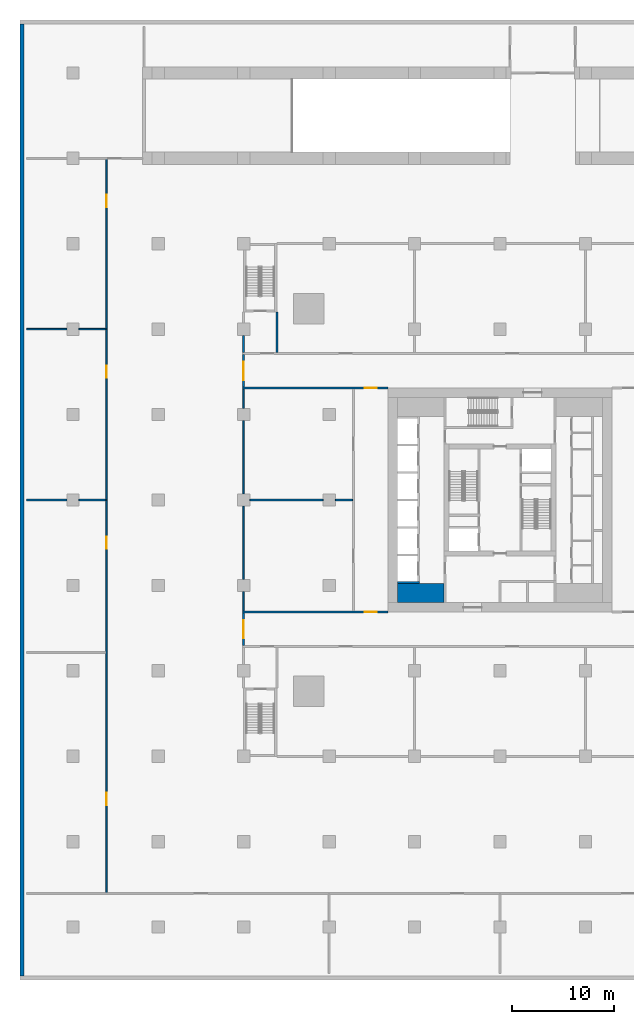
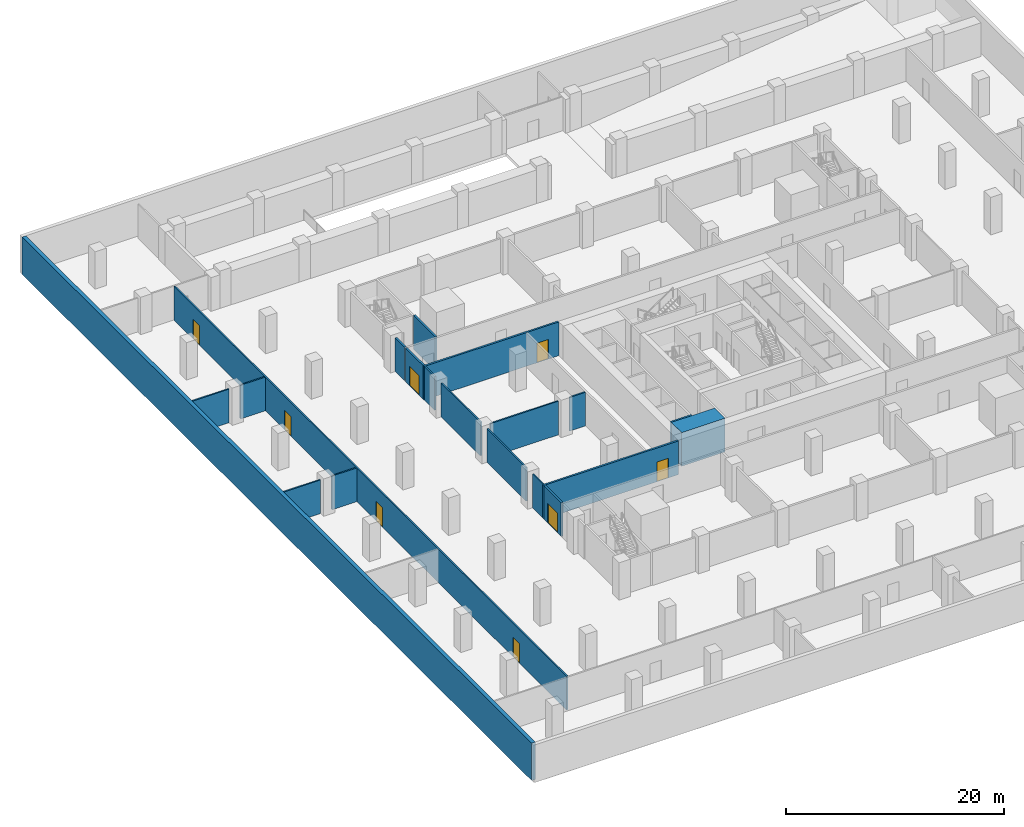
# One storey, part 4 of 16: 20 walls, 8 doors, 8 openings.
"""IFC4 building model written with IfcOpenShell, lengths in metres."""

from ifc_helpers import new_model, si_unit, direction, frame, frame_2d, origin, place, context, subcontext, project, spatial, rectangle, extrude, material, layer, layer_set, type_object, element, fill, save


model = new_model("IFC4")

# Units and contexts
model_context = context("Model", 3, precision=1e-05, world=origin(), true_north=direction((0.0, 1.0)))
body_context = subcontext(model_context, "Body", "Model", "MODEL_VIEW")
ifc_project = project(units=[si_unit("LENGTHUNIT", "METRE"), si_unit("AREAUNIT", "SQUARE_METRE"), si_unit("VOLUMEUNIT", "CUBIC_METRE"), si_unit("PLANEANGLEUNIT", "RADIAN"), si_unit("MASSUNIT", "GRAM", prefix="KILO")], contexts=[model_context])

# Site, building, storey
site_placement = place(None, origin())
site = spatial("IfcSite", under=ifc_project, at=site_placement, CompositionType="ELEMENT")
building_placement = place(site_placement, origin())
building = spatial("IfcBuilding", under=site, at=building_placement, Name="Khepri Terraces", CompositionType="ELEMENT")
storey_placement = place(building_placement, frame((0.0, 0.0, -4.199951171875)))
storey = spatial("IfcBuildingStorey", under=building, at=storey_placement, Name="B1", CompositionType="ELEMENT", Elevation=-4.199951171875)

# Walls
ifc_material_1 = material(Name="Concrete C80/95", Category="concrete")
ifc_layer_1 = layer(ifc_material_1, 1.89990234375, Name="Concrete C80/95", Category="concrete")
ifc_layer_set_1 = layer_set([ifc_layer_1], Name="Concrete C80/95")
wall_type_1 = type_object("IfcWallType", Name="Core wall 1900 C80/95", PredefinedType="SHEAR", material=ifc_layer_set_1)
wall_1_placement = place(storey_placement, frame((-10.10009765625, -9.14990234375, 0.0), z_axis=(0.0, 0.0, 1.0), x_axis=(1.0, 0.0, 0.0)))
element("IfcWall", 1, at=wall_1_placement, inside=storey, type_object=wall_type_1, Name="Core wall PR01 B1", PredefinedType="SHEAR", context=body_context, shape_type="SweptSolid", body=[
    extrude(rectangle(XDim=4.60009765625, YDim=1.89990234375, at=frame_2d((2.300048828125, 0.0))), origin(), (0.0, 0.0, 1.0), 3.780029296875),
])
ifc_layer_2 = layer(ifc_material_1, 0.199951171875, Name="Concrete C80/95", Category="concrete")
ifc_layer_set_2 = layer_set([ifc_layer_2], Name="Concrete C80/95")
wall_type_2 = type_object("IfcWallType", Name="Core wall 200 C80/95", PredefinedType="SHEAR", material=ifc_layer_set_2)
wall_2_placement = place(storey_placement, frame((-10.10009765625, -8.10009765625, 0.0), z_axis=(0.0, 0.0, 1.0), x_axis=(1.0, 0.0, 0.0)))
element("IfcWall", 2, at=wall_2_placement, inside=storey, type_object=wall_type_2, Name="Core wall SH04 B1", PredefinedType="SHEAR", context=body_context, shape_type="SweptSolid", body=[
    extrude(rectangle(XDim=2.2001953125, YDim=0.199951171875, at=frame_2d((1.10009765625, 0.0))), origin(), (0.0, 0.0, 1.0), 3.780029296875),
])
ifc_material_2 = material(Name="Concrete C60/75", Category="concrete")
ifc_layer_3 = layer(ifc_material_2, 0.39990234375, Name="Concrete C60/75", Category="concrete")
ifc_layer_set_3 = layer_set([ifc_layer_3], Name="Concrete C60/75")
wall_type_3 = type_object("IfcWallType", Name="Retaining wall RW1", PredefinedType="USERDEFINED", material=ifc_layer_set_3)
wall_3_placement = place(storey_placement, frame((-47.0, -46.800048828125, 0.0), z_axis=(0.0, 0.0, 1.0), x_axis=(0.0, 1.0, 0.0)))
element("IfcWall", 3, at=wall_3_placement, inside=storey, type_object=wall_type_3, Name="Basement retaining wall W B1", ObjectType="RETAINING WALL", PredefinedType="USERDEFINED", context=body_context, shape_type="SweptSolid", body=[
    extrude(rectangle(XDim=93.60009765625, YDim=0.39990234375, at=frame_2d((46.800048828125, 0.0))), origin(), (0.0, 0.0, 1.0), 4.199951171875),
])
ifc_material_3 = material(Name="Gypsum board partition")
ifc_layer_4 = layer(ifc_material_3, 0.14990234375, Name="Gypsum board partition")
ifc_layer_set_4 = layer_set([ifc_layer_4], Name="Gypsum board partition")
wall_type_4 = type_object("IfcWallType", Name="WL-POD-150", PredefinedType="PARTITIONING", material=ifc_layer_set_4)
wall_4_placement = place(storey_placement, frame((-46.550048828125, 0.0, 0.0), z_axis=(0.0, 0.0, 1.0), x_axis=(1.0, 0.0, 0.0)))
element("IfcWall", 4, at=wall_4_placement, inside=storey, type_object=wall_type_4, Name="Partition B1-PW015", PredefinedType="PARTITIONING", context=body_context, shape_type="SweptSolid", body=[
    extrude(rectangle(XDim=3.949951171875, YDim=0.14990234375, at=frame_2d((1.97509765625, 0.0))), origin(), (0.0, 0.0, 1.0), 3.780029296875),
])
wall_5_placement = place(storey_placement, frame((-41.39990234375, 0.0, 0.0), z_axis=(0.0, 0.0, 1.0), x_axis=(1.0, 0.0, 0.0)))
element("IfcWall", 5, at=wall_5_placement, inside=storey, type_object=wall_type_4, Name="Partition B1-PW016", PredefinedType="PARTITIONING", context=body_context, shape_type="SweptSolid", body=[
    extrude(rectangle(XDim=2.625, YDim=0.14990234375, at=frame_2d((1.3125, 0.0))), origin(), (0.0, 0.0, 1.0), 3.780029296875),
])
wall_6_placement = place(storey_placement, frame((-24.60009765625, 0.0, 0.0), z_axis=(0.0, 0.0, 1.0), x_axis=(1.0, 0.0, 0.0)))
element("IfcWall", 6, at=wall_6_placement, inside=storey, type_object=wall_type_4, Name="Partition B1-PW017", PredefinedType="PARTITIONING", context=body_context, shape_type="SweptSolid", body=[
    extrude(rectangle(XDim=7.2001953125, YDim=0.14990234375, at=frame_2d((3.60009765625, 0.0))), origin(), (0.0, 0.0, 1.0), 3.780029296875),
])
wall_7_placement = place(storey_placement, frame((-16.199951171875, 0.0, 0.0), z_axis=(0.0, 0.0, 1.0), x_axis=(1.0, 0.0, 0.0)))
element("IfcWall", 7, at=wall_7_placement, inside=storey, type_object=wall_type_4, Name="Partition B1-PW018", PredefinedType="PARTITIONING", context=body_context, shape_type="SweptSolid", body=[
    extrude(rectangle(XDim=1.699951171875, YDim=0.14990234375, at=frame_2d((0.85009765625, 0.0))), origin(), (0.0, 0.0, 1.0), 3.780029296875),
])
wall_8_placement = place(storey_placement, frame((-46.550048828125, 16.800048828125, 0.0), z_axis=(0.0, 0.0, 1.0), x_axis=(1.0, 0.0, 0.0)))
element("IfcWall", 8, at=wall_8_placement, inside=storey, type_object=wall_type_4, Name="Partition B1-PW024", PredefinedType="PARTITIONING", context=body_context, shape_type="SweptSolid", body=[
    extrude(rectangle(XDim=3.949951171875, YDim=0.14990234375, at=frame_2d((1.97509765625, 0.0))), origin(), (0.0, 0.0, 1.0), 3.780029296875),
])
wall_9_placement = place(storey_placement, frame((-41.39990234375, 16.800048828125, 0.0), z_axis=(0.0, 0.0, 1.0), x_axis=(1.0, 0.0, 0.0)))
element("IfcWall", 9, at=wall_9_placement, inside=storey, type_object=wall_type_4, Name="Partition B1-PW025", PredefinedType="PARTITIONING", context=body_context, shape_type="SweptSolid", body=[
    extrude(rectangle(XDim=2.625, YDim=0.14990234375, at=frame_2d((1.3125, 0.0))), origin(), (0.0, 0.0, 1.0), 3.780029296875),
])

# Wall, openings, doors
wall_10_placement = place(storey_placement, frame((-38.699951171875, -38.625, 0.0), z_axis=(0.0, 0.0, 1.0), x_axis=(0.0, 1.0, 0.0)))
wall_10 = element("IfcWall", 10, at=wall_10_placement, inside=storey, type_object=wall_type_4, Name="Partition B1-PW061", PredefinedType="PARTITIONING", context=body_context, shape_type="SweptSolid", body=[
    extrude(rectangle(XDim=72.14990234375, YDim=0.14990234375, at=frame_2d((36.074951171875, 0.0))), origin(), (0.0, 0.0, 1.0), 3.780029296875),
])
opening_1_placement = place(wall_10_placement, frame((8.625, 0.0, 0.0)))
opening_1 = element("IfcOpeningElement", 11, at=opening_1_placement, cuts=wall_10, Name="Opening B1-P05", PredefinedType="OPENING", context=body_context, shape_type="SweptSolid", body=[
    extrude(rectangle(XDim=1.199951171875, YDim=2.199951171875, at=frame_2d((0.60009765625, 1.10009765625))), frame((0.0, 0.0849609375, 0.0), z_axis=(0.0, -1.0, 0.0), x_axis=(1.0, 0.0, 0.0)), (0.0, 0.0, 1.0), 0.169921875),
])
opening_2_placement = place(wall_10_placement, frame((33.824951171875, 0.0, 0.0)))
opening_2 = element("IfcOpeningElement", 12, at=opening_2_placement, cuts=wall_10, Name="Opening B1-P18", PredefinedType="OPENING", context=body_context, shape_type="SweptSolid", body=[
    extrude(rectangle(XDim=1.199951171875, YDim=2.199951171875, at=frame_2d((0.60009765625, 1.10009765625))), frame((0.0, 0.0849609375, 0.0), z_axis=(0.0, -1.0, 0.0), x_axis=(1.0, 0.0, 0.0)), (0.0, 0.0, 1.0), 0.169921875),
])
opening_3_placement = place(wall_10_placement, frame((50.625, 0.0, 0.0)))
opening_3 = element("IfcOpeningElement", 13, at=opening_3_placement, cuts=wall_10, Name="Opening B1-P24", PredefinedType="OPENING", context=body_context, shape_type="SweptSolid", body=[
    extrude(rectangle(XDim=1.199951171875, YDim=2.199951171875, at=frame_2d((0.60009765625, 1.10009765625))), frame((0.0, 0.0849609375, 0.0), z_axis=(0.0, -1.0, 0.0), x_axis=(1.0, 0.0, 0.0)), (0.0, 0.0, 1.0), 0.169921875),
])
opening_4_placement = place(wall_10_placement, frame((67.425048828125, 0.0, 0.0)))
opening_4 = element("IfcOpeningElement", 14, at=opening_4_placement, cuts=wall_10, Name="Opening B1-P33", PredefinedType="OPENING", context=body_context, shape_type="SweptSolid", body=[
    extrude(rectangle(XDim=1.199951171875, YDim=2.199951171875, at=frame_2d((0.60009765625, 1.10009765625))), frame((0.0, 0.0849609375, 0.0), z_axis=(0.0, -1.0, 0.0), x_axis=(1.0, 0.0, 0.0)), (0.0, 0.0, 1.0), 0.169921875),
])
ifc_material_4 = material(Name="Timber veneer", Category="wood")
door_type_1 = type_object("IfcDoorType", Name="DR-POD-SINGLE-1200", OperationType="NOTDEFINED", PredefinedType="DOOR", material=ifc_material_4)
door_1_placement = place(opening_1_placement, origin())
door_1 = element("IfcDoor", 15, at=door_1_placement, inside=storey, type_object=door_type_1, Name="Door B1-P05", OperationType="SINGLE_SWING_LEFT", OverallHeight=2.199951171875, OverallWidth=1.199951171875, PredefinedType="DOOR", context=body_context, shape_type="SweptSolid", body=[
    extrude(rectangle(XDim=1.199951171875, YDim=2.199951171875, at=frame_2d((0.60009765625, 1.10009765625))), frame((0.0, 0.02490234375, 0.0), z_axis=(0.0, -1.0, 0.0), x_axis=(1.0, 0.0, 0.0)), (0.0, 0.0, 1.0), 0.050048828125),
])
fill(opening_1, door_1)
door_2_placement = place(opening_2_placement, origin())
door_2 = element("IfcDoor", 16, at=door_2_placement, inside=storey, type_object=door_type_1, Name="Door B1-P18", OperationType="SINGLE_SWING_LEFT", OverallHeight=2.199951171875, OverallWidth=1.199951171875, PredefinedType="DOOR", context=body_context, shape_type="SweptSolid", body=[
    extrude(rectangle(XDim=1.199951171875, YDim=2.199951171875, at=frame_2d((0.60009765625, 1.10009765625))), frame((0.0, 0.02490234375, 0.0), z_axis=(0.0, -1.0, 0.0), x_axis=(1.0, 0.0, 0.0)), (0.0, 0.0, 1.0), 0.050048828125),
])
fill(opening_2, door_2)
door_3_placement = place(opening_3_placement, origin())
door_3 = element("IfcDoor", 17, at=door_3_placement, inside=storey, type_object=door_type_1, Name="Door B1-P24", OperationType="SINGLE_SWING_RIGHT", OverallHeight=2.199951171875, OverallWidth=1.199951171875, PredefinedType="DOOR", context=body_context, shape_type="SweptSolid", body=[
    extrude(rectangle(XDim=1.199951171875, YDim=2.199951171875, at=frame_2d((0.60009765625, 1.10009765625))), frame((0.0, 0.02490234375, 0.0), z_axis=(0.0, -1.0, 0.0), x_axis=(1.0, 0.0, 0.0)), (0.0, 0.0, 1.0), 0.050048828125),
])
fill(opening_3, door_3)
door_4_placement = place(opening_4_placement, origin())
door_4 = element("IfcDoor", 18, at=door_4_placement, inside=storey, type_object=door_type_1, Name="Door B1-P33", OperationType="SINGLE_SWING_RIGHT", OverallHeight=2.199951171875, OverallWidth=1.199951171875, PredefinedType="DOOR", context=body_context, shape_type="SweptSolid", body=[
    extrude(rectangle(XDim=1.199951171875, YDim=2.199951171875, at=frame_2d((0.60009765625, 1.10009765625))), frame((0.0, 0.02490234375, 0.0), z_axis=(0.0, -1.0, 0.0), x_axis=(1.0, 0.0, 0.0)), (0.0, 0.0, 1.0), 0.050048828125),
])
fill(opening_4, door_4)

# Walls
wall_11_placement = place(storey_placement, frame((-25.199951171875, -10.89990234375, 0.0), z_axis=(0.0, 0.0, 1.0), x_axis=(0.0, 1.0, 0.0)))
element("IfcWall", 19, at=wall_11_placement, inside=storey, type_object=wall_type_4, Name="Partition B1-PW067", PredefinedType="PARTITIONING", context=body_context, shape_type="SweptSolid", body=[
    extrude(rectangle(XDim=1.89990234375, YDim=0.14990234375, at=frame_2d((0.949951171875, 0.0))), origin(), (0.0, 0.0, 1.0), 3.780029296875),
])
for number, where, z_axis, x_axis, name in (
    (20, (-25.199951171875, -7.800048828125, 0.0), (0.0, 0.0, 1.0), (0.0, 1.0, 0.0), "Partition B1-PW068"),
    (21, (-25.199951171875, 0.60009765625, 0.0), (0.0, 0.0, 1.0), (0.0, 1.0, 0.0), "Partition B1-PW069"),
):
    element("IfcWall", number, at=place(storey_placement, frame(where, z_axis=z_axis, x_axis=x_axis)), inside=storey, type_object=wall_type_4, Name=name, PredefinedType="PARTITIONING", context=body_context, shape_type="SweptSolid", body=[
        extrude(rectangle(XDim=7.199951171875, YDim=0.14990234375, at=frame_2d((3.60009765625, 0.0))), origin(), (0.0, 0.0, 1.0), 3.780029296875),
    ])
wall_12_placement = place(storey_placement, frame((-25.199951171875, 9.0, 0.0), z_axis=(0.0, 0.0, 1.0), x_axis=(0.0, 1.0, 0.0)))
element("IfcWall", 22, at=wall_12_placement, inside=storey, type_object=wall_type_4, Name="Partition B1-PW070", PredefinedType="PARTITIONING", context=body_context, shape_type="SweptSolid", body=[
    extrude(rectangle(XDim=1.89990234375, YDim=0.14990234375, at=frame_2d((0.949951171875, 0.0))), origin(), (0.0, 0.0, 1.0), 3.780029296875),
])
ifc_material_5 = material(Name="Fire-rated block wall")
ifc_layer_5 = layer(ifc_material_5, 0.199951171875, Name="Fire-rated block wall")
ifc_layer_set_5 = layer_set([ifc_layer_5], Name="Fire-rated block wall")
wall_type_5 = type_object("IfcWallType", Name="WL-POD-200-EI120", PredefinedType="PARTITIONING", material=ifc_layer_set_5)
wall_13_placement = place(storey_placement, frame((-25.199951171875, 14.5, 0.0), z_axis=(0.0, 0.0, 1.0), x_axis=(0.0, 1.0, 0.0)))
element("IfcWall", 23, at=wall_13_placement, inside=storey, type_object=wall_type_5, Name="Partition B1-PW072", PredefinedType="PARTITIONING", context=body_context, shape_type="SweptSolid", body=[
    extrude(rectangle(XDim=1.699951171875, YDim=0.199951171875, at=frame_2d((0.85009765625, 0.0))), origin(), (0.0, 0.0, 1.0), 3.780029296875),
])
wall_14_placement = place(storey_placement, frame((-21.949951171875, 14.5, 0.0), z_axis=(0.0, 0.0, 1.0), x_axis=(0.0, 1.0, 0.0)))
element("IfcWall", 24, at=wall_14_placement, inside=storey, type_object=wall_type_5, Name="Partition B1-PW075", PredefinedType="PARTITIONING", context=body_context, shape_type="SweptSolid", body=[
    extrude(rectangle(XDim=4.0, YDim=0.199951171875, at=frame_2d((2.0, 0.0))), origin(), (0.0, 0.0, 1.0), 3.780029296875),
])

# Wall, opening, door
ifc_layer_6 = layer(ifc_material_5, 0.199951171875, Name="Fire-rated block wall")
ifc_layer_set_6 = layer_set([ifc_layer_6], Name="Fire-rated block wall")
wall_type_6 = type_object("IfcWallType", Name="WL-POD-200-EI60", PredefinedType="PARTITIONING", material=ifc_layer_set_6)
wall_15_placement = place(storey_placement, frame((-25.300048828125, -11.0, 0.0), z_axis=(0.0, 0.0, 1.0), x_axis=(1.0, 0.0, 0.0)))
wall_15 = element("IfcWall", 25, at=wall_15_placement, inside=storey, type_object=wall_type_6, Name="Partition B1-PW012", PredefinedType="PARTITIONING", context=body_context, shape_type="SweptSolid", body=[
    extrude(rectangle(XDim=14.300048828125, YDim=0.199951171875, at=frame_2d((7.14990234375, 0.0))), origin(), (0.0, 0.0, 1.0), 3.780029296875),
])
opening_5_placement = place(wall_15_placement, frame((12.0, 0.0, 0.0)))
opening_5 = element("IfcOpeningElement", 26, at=opening_5_placement, cuts=wall_15, Name="Opening B1-P14", PredefinedType="OPENING", context=body_context, shape_type="SweptSolid", body=[
    extrude(rectangle(XDim=1.199951171875, YDim=2.199951171875, at=frame_2d((0.60009765625, 1.10009765625))), frame((0.0, 0.10986328125, 0.0), z_axis=(0.0, -1.0, 0.0), x_axis=(1.0, 0.0, 0.0)), (0.0, 0.0, 1.0), 0.219970703125),
])
ifc_material_6 = material(Name="Painted steel", Category="steel")
door_type_2 = type_object("IfcDoorType", Name="DR-POD-FIRE-1200", OperationType="NOTDEFINED", PredefinedType="DOOR", material=ifc_material_6)
door_5_placement = place(opening_5_placement, origin())
door_5 = element("IfcDoor", 27, at=door_5_placement, inside=storey, type_object=door_type_2, Name="Fire door B1-P14", OperationType="SINGLE_SWING_LEFT", OverallHeight=2.199951171875, OverallWidth=1.199951171875, PredefinedType="DOOR", context=body_context, shape_type="SweptSolid", body=[
    extrude(rectangle(XDim=1.199951171875, YDim=2.199951171875, at=frame_2d((0.60009765625, 1.10009765625))), frame((0.0, 0.02490234375, 0.0), z_axis=(0.0, -1.0, 0.0), x_axis=(1.0, 0.0, 0.0)), (0.0, 0.0, 1.0), 0.050048828125),
])
fill(opening_5, door_5)

wall_16_placement = place(storey_placement, frame((-25.300048828125, 11.0, 0.0), z_axis=(0.0, 0.0, 1.0), x_axis=(1.0, 0.0, 0.0)))
wall_16 = element("IfcWall", 28, at=wall_16_placement, inside=storey, type_object=wall_type_6, Name="Partition B1-PW021", PredefinedType="PARTITIONING", context=body_context, shape_type="SweptSolid", body=[
    extrude(rectangle(XDim=14.300048828125, YDim=0.199951171875, at=frame_2d((7.14990234375, 0.0))), origin(), (0.0, 0.0, 1.0), 3.780029296875),
])
opening_6_placement = place(wall_16_placement, frame((12.0, 0.0, 0.0)))
opening_6 = element("IfcOpeningElement", 29, at=opening_6_placement, cuts=wall_16, Name="Opening B1-P22", PredefinedType="OPENING", context=body_context, shape_type="SweptSolid", body=[
    extrude(rectangle(XDim=1.199951171875, YDim=2.199951171875, at=frame_2d((0.60009765625, 1.10009765625))), frame((0.0, 0.10986328125, 0.0), z_axis=(0.0, -1.0, 0.0), x_axis=(1.0, 0.0, 0.0)), (0.0, 0.0, 1.0), 0.219970703125),
])
door_6_placement = place(opening_6_placement, origin())
door_6 = element("IfcDoor", 30, at=door_6_placement, inside=storey, type_object=door_type_2, Name="Fire door B1-P22", OperationType="SINGLE_SWING_RIGHT", OverallHeight=2.199951171875, OverallWidth=1.199951171875, PredefinedType="DOOR", context=body_context, shape_type="SweptSolid", body=[
    extrude(rectangle(XDim=1.199951171875, YDim=2.199951171875, at=frame_2d((0.60009765625, 1.10009765625))), frame((0.0, 0.02490234375, 0.0), z_axis=(0.0, -1.0, 0.0), x_axis=(1.0, 0.0, 0.0)), (0.0, 0.0, 1.0), 0.050048828125),
])
fill(opening_6, door_6)

wall_17_placement = place(storey_placement, frame((-25.199951171875, -14.300048828125, 0.0), z_axis=(0.0, 0.0, 1.0), x_axis=(0.0, 1.0, 0.0)))
wall_17 = element("IfcWall", 31, at=wall_17_placement, inside=storey, type_object=wall_type_6, Name="Partition B1-PW066", PredefinedType="PARTITIONING", context=body_context, shape_type="SweptSolid", body=[
    extrude(rectangle(XDim=3.199951171875, YDim=0.199951171875, at=frame_2d((1.60009765625, 0.0))), origin(), (0.0, 0.0, 1.0), 3.780029296875),
])
opening_7_placement = place(wall_17_placement, frame((0.699951171875, 0.0, 0.0)))
opening_7 = element("IfcOpeningElement", 32, at=opening_7_placement, cuts=wall_17, Name="Opening B1-P12", PredefinedType="OPENING", context=body_context, shape_type="SweptSolid", body=[
    extrude(rectangle(XDim=1.800048828125, YDim=2.199951171875, at=frame_2d((0.89990234375, 1.10009765625))), frame((0.0, 0.10986328125, 0.0), z_axis=(0.0, -1.0, 0.0), x_axis=(1.0, 0.0, 0.0)), (0.0, 0.0, 1.0), 0.219970703125),
])
door_type_3 = type_object("IfcDoorType", Name="DR-POD-FIRE-PAIR-1800", OperationType="DOUBLE_DOOR_SINGLE_SWING", PredefinedType="DOOR", material=ifc_material_6)
door_7_placement = place(opening_7_placement, origin())
door_7 = element("IfcDoor", 33, at=door_7_placement, inside=storey, type_object=door_type_3, Name="Fire door pair B1-P12", OperationType="DOUBLE_DOOR_SINGLE_SWING", OverallHeight=2.199951171875, OverallWidth=1.800048828125, PredefinedType="DOOR", context=body_context, shape_type="SweptSolid", body=[
    extrude(rectangle(XDim=1.800048828125, YDim=2.199951171875, at=frame_2d((0.89990234375, 1.10009765625))), frame((0.0, 0.02490234375, 0.0), z_axis=(0.0, -1.0, 0.0), x_axis=(1.0, 0.0, 0.0)), (0.0, 0.0, 1.0), 0.050048828125),
])
fill(opening_7, door_7)

wall_18_placement = place(storey_placement, frame((-25.199951171875, 11.10009765625, 0.0), z_axis=(0.0, 0.0, 1.0), x_axis=(0.0, 1.0, 0.0)))
wall_18 = element("IfcWall", 34, at=wall_18_placement, inside=storey, type_object=wall_type_6, Name="Partition B1-PW071", PredefinedType="PARTITIONING", context=body_context, shape_type="SweptSolid", body=[
    extrude(rectangle(XDim=3.199951171875, YDim=0.199951171875, at=frame_2d((1.60009765625, 0.0))), origin(), (0.0, 0.0, 1.0), 3.780029296875),
])
opening_8_placement = place(wall_18_placement, frame((0.699951171875, 0.0, 0.0)))
opening_8 = element("IfcOpeningElement", 35, at=opening_8_placement, cuts=wall_18, Name="Opening B1-P26", PredefinedType="OPENING", context=body_context, shape_type="SweptSolid", body=[
    extrude(rectangle(XDim=1.800048828125, YDim=2.199951171875, at=frame_2d((0.89990234375, 1.10009765625))), frame((0.0, 0.10986328125, 0.0), z_axis=(0.0, -1.0, 0.0), x_axis=(1.0, 0.0, 0.0)), (0.0, 0.0, 1.0), 0.219970703125),
])
door_8_placement = place(opening_8_placement, origin())
door_8 = element("IfcDoor", 36, at=door_8_placement, inside=storey, type_object=door_type_3, Name="Fire door pair B1-P26", OperationType="DOUBLE_DOOR_SINGLE_SWING", OverallHeight=2.199951171875, OverallWidth=1.800048828125, PredefinedType="DOOR", context=body_context, shape_type="SweptSolid", body=[
    extrude(rectangle(XDim=1.800048828125, YDim=2.199951171875, at=frame_2d((0.89990234375, 1.10009765625))), frame((0.0, 0.02490234375, 0.0), z_axis=(0.0, -1.0, 0.0), x_axis=(1.0, 0.0, 0.0)), (0.0, 0.0, 1.0), 0.050048828125),
])
fill(opening_8, door_8)

save(model, "model.ifc")
